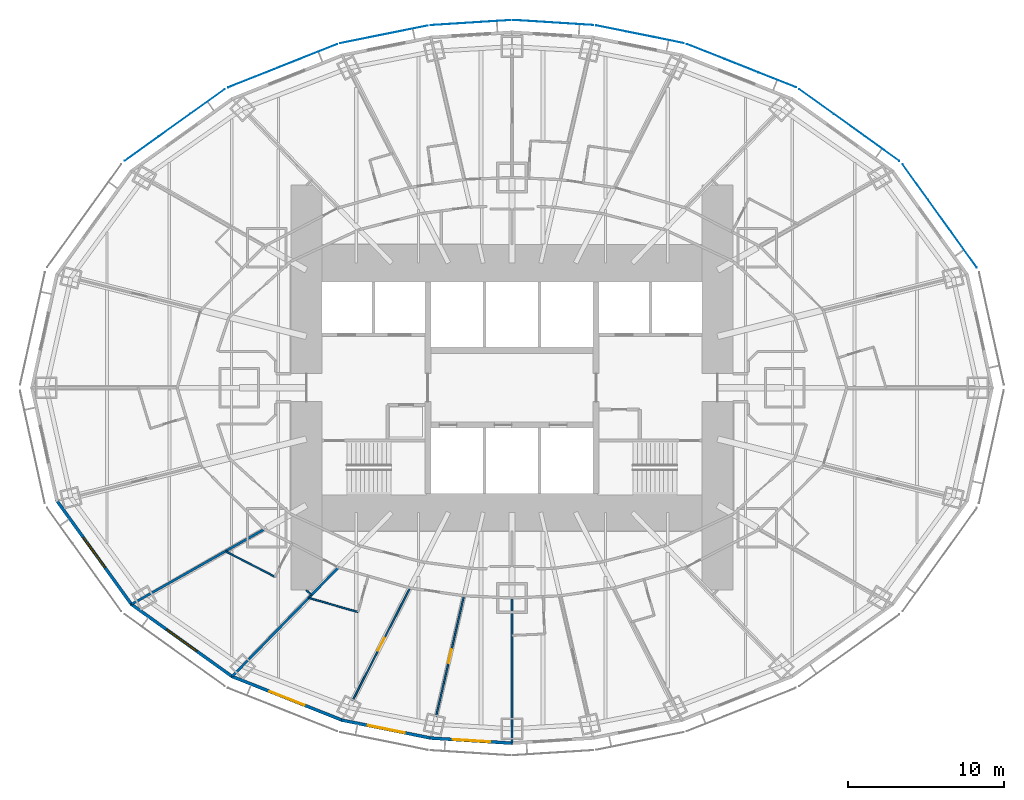
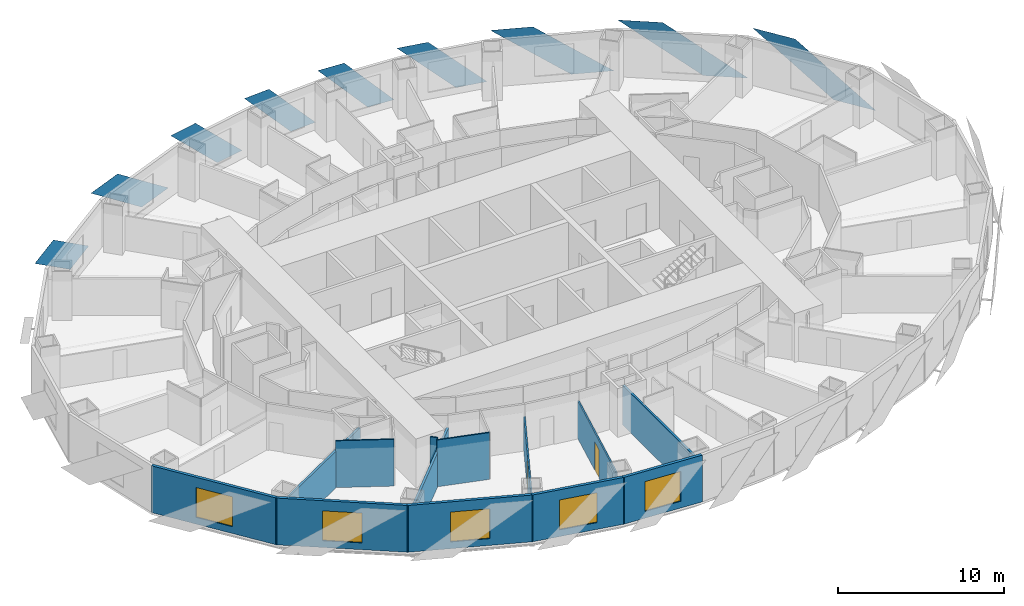
# One storey, part 4 of 15: 13 walls, 9 plates, 5 windows, 2 doors, 7 openings.
"""IFC4 building model written with IfcOpenShell, lengths in metres."""

from ifc_helpers import new_model, si_unit, direction, frame, frame_2d, origin, place, context, subcontext, project, spatial, polyline, rectangle, outline, extrude, material, layer, layer_set, type_object, element, fill, save


model = new_model("IFC4")

# Units and contexts
model_context = context("Model", 3, precision=1e-05, world=origin(), true_north=direction((0.0, 1.0)))
body_context = subcontext(model_context, "Body", "Model", "MODEL_VIEW")
ifc_project = project(units=[si_unit("LENGTHUNIT", "METRE"), si_unit("AREAUNIT", "SQUARE_METRE"), si_unit("VOLUMEUNIT", "CUBIC_METRE"), si_unit("PLANEANGLEUNIT", "RADIAN"), si_unit("MASSUNIT", "GRAM", prefix="KILO")], contexts=[model_context])

# Site, building, storey
site_placement = place(None, origin())
site = spatial("IfcSite", under=ifc_project, at=site_placement, CompositionType="ELEMENT")
building_placement = place(site_placement, origin())
building = spatial("IfcBuilding", under=site, at=building_placement, Name="Lantaw Convention Tower", CompositionType="ELEMENT")
storey_placement = place(building_placement, frame((0.0, 0.0, 51.39990234375)))
storey = spatial("IfcBuildingStorey", under=building, at=storey_placement, Name="L10", CompositionType="ELEMENT", Elevation=51.39990234375)

# Plates
ifc_material_1 = material(Name="Perforated aluminium sheet, pale silver finish", Category="aluminium")
ifc_layer_1 = layer(ifc_material_1, 0.006103515625)
ifc_layer_set_1 = layer_set([ifc_layer_1], Name="Perforated aluminium solar SCREEN panel")
plate_type = type_object("IfcPlateType", Name="Perforated aluminium solar SCREEN panel", PredefinedType="SHEET", material=ifc_layer_set_1)
plate_1_placement = place(storey_placement, frame((29.847900390625, 7.720947265625, -0.1748046875), z_axis=(0.811791382613, 0.583947558463, 9.019268e-06), x_axis=(-0.583947558486, 0.811791382646, 0.0)))
element("IfcPlate", 1, at=plate_1_placement, inside=storey, type_object=plate_type, Name="Solar SCREEN panel", PredefinedType="SHEET", context=body_context, shape_type="SweptSolid", body=[
    extrude(outline(polyline([(0.0, 0.0), (2.809541672291133, 0.0), (8.163093158837512, 3.739990234527119), (5.353551486546379, 3.739990234527119), (0.0, 0.0)])), origin(), (0.0, 0.0, -1.0), 0.006103515625),
])
plate_2_placement = place(storey_placement, frame((24.872314453125, 14.555908203125, -0.1748046875), z_axis=(0.582561421998, 0.812786681331, 1.5819417e-05), x_axis=(-0.812786681433, 0.582561422071, 0.0)))
element("IfcPlate", 2, at=plate_2_placement, inside=storey, type_object=plate_type, Name="Solar SCREEN panel", PredefinedType="SHEET", context=body_context, shape_type="SweptSolid", body=[
    extrude(outline(polyline([(0.0, 0.0), (2.721095180812288, 3.3881317890172014e-21), (7.903118572410756, 3.739990234842974), (5.182023391598468, 3.739990234842974), (0.0, 0.0)])), origin(), (0.0, 0.0, -1.0), 0.006103515625),
])
plate_3_placement = place(storey_placement, frame((18.232177734375, 19.278076171875, -0.1748046875), z_axis=(-0.369183532846, -0.929356508016, 9.163296e-06), x_axis=(-0.929356508055, 0.369183532862, 0.0)))
element("IfcPlate", 3, at=plate_3_placement, inside=storey, type_object=plate_type, Name="Solar SCREEN panel", PredefinedType="SHEET", context=body_context, shape_type="SweptSolid", body=[
    extrude(outline(polyline([(0.0, 0.0), (2.594936467166582, -1.6940658945086007e-21), (7.5321069917580825, -3.739990234532016), (4.937170524591499, -3.739990234532016), (0.0, 0.0)])), origin(), (0.0, 0.0, -1.0), 0.006103515625),
])
plate_4_placement = place(storey_placement, frame((11.03271484375, 22.117919921875, -0.1748046875), z_axis=(-0.197781876197, -0.980246055561, 2.418535e-06), x_axis=(-0.980246055563, 0.197781876198, 1.46e-10)))
element("IfcPlate", 4, at=plate_4_placement, inside=storey, type_object=plate_type, Name="Solar SCREEN panel", PredefinedType="SHEET", context=body_context, shape_type="SweptSolid", body=[
    extrude(outline(polyline([(0.0, 0.0), (1.9867801772236329, -3.1763735522036263e-22), (5.743587245978565, -3.7399902335493134), (3.7568553553458006, -3.739990234128105), (0.0, 0.0)])), origin(), (0.0, 0.0, -1.0), 0.006103515625),
])
plate_5_placement = place(storey_placement, frame((5.221923828125, 23.27783203125, -0.1748046875), z_axis=(-0.062923905251, -0.998018327468, 1.3605496e-05), x_axis=(-0.998018327561, 0.062923905257, 9.3e-10)))
element("IfcPlate", 5, at=plate_5_placement, inside=storey, type_object=plate_type, Name="Solar SCREEN panel", PredefinedType="SHEET", context=body_context, shape_type="SweptSolid", body=[
    extrude(outline(polyline([(0.0, 0.0), (1.7828375409377817, -2.117582368135751e-22), (5.143985963027618, -3.739990229938699), (3.3611637843713935, -3.7399902332537565), (0.0, 0.0)])), origin(), (0.0, 0.0, -1.0), 0.006103515625),
])
plate_6_placement = place(storey_placement, frame((-0.088134765625, 23.6015625, -0.1748046875), z_axis=(-0.062923905251, 0.998018327468, 1.3605496e-05), x_axis=(-0.998018327561, -0.062923905257, -9.3e-10)))
element("IfcPlate", 6, at=plate_6_placement, inside=storey, type_object=plate_type, Name="Solar SCREEN panel", PredefinedType="SHEET", context=body_context, shape_type="SweptSolid", body=[
    extrude(outline(polyline([(0.0, 0.0), (1.782822178656225, -2.117582368135751e-22), (5.143985956073316, 3.7399902395036517), (3.3611484151355353, 3.7399902361885653), (0.0, 0.0)])), origin(), (0.0, 0.0, -1.0), 0.006103515625),
])
plate_7_placement = place(storey_placement, frame((-5.402587890625, 23.25390625, -0.1748046875), z_axis=(-0.197781876197, 0.980246055561, 2.418535e-06), x_axis=(-0.980246055563, -0.197781876198, -1.46e-10)))
element("IfcPlate", 7, at=plate_7_placement, inside=storey, type_object=plate_type, Name="Solar SCREEN panel", PredefinedType="SHEET", context=body_context, shape_type="SweptSolid", body=[
    extrude(outline(polyline([(0.0, 0.0), (1.9867318906327642, 1.0587911840678754e-22), (5.743587244888999, 3.7399902352225842), (3.7568070676653664, 3.7399902346437783), (0.0, 0.0)])), origin(), (0.0, 0.0, -1.0), 0.006103515625),
])
plate_8_placement = place(storey_placement, frame((-11.232177734375, 22.058837890625, -0.1748046875), z_axis=(-0.369183532846, 0.929356508016, 9.163296e-06), x_axis=(-0.929356508055, -0.369183532862, 0.0)))
element("IfcPlate", 8, at=plate_8_placement, inside=storey, type_object=plate_type, Name="Solar SCREEN panel", PredefinedType="SHEET", context=body_context, shape_type="SweptSolid", body=[
    extrude(outline(polyline([(0.0, 0.0), (2.594936467166582, 1.6940658945086007e-21), (7.5321069917580825, 3.739990234532016), (4.937170524591499, 3.739990234532016), (0.0, 0.0)])), origin(), (0.0, 0.0, -1.0), 0.006103515625),
])
plate_9_placement = place(storey_placement, frame((-18.44873046875, 19.159912109375, -0.1748046875), z_axis=(0.582561421998, -0.812786681331, 1.5819417e-05), x_axis=(-0.812786681433, -0.582561422071, 0.0)))
element("IfcPlate", 9, at=plate_9_placement, inside=storey, type_object=plate_type, Name="Solar SCREEN panel", PredefinedType="SHEET", context=body_context, shape_type="SweptSolid", body=[
    extrude(outline(polyline([(0.0, 0.0), (2.721095180812288, -3.3881317890172014e-21), (7.903118572410756, -3.739990234842974), (5.182023391598468, -3.739990234842974), (0.0, 0.0)])), origin(), (0.0, 0.0, -1.0), 0.006103515625),
])

# Walls
ifc_material_2 = material(Name="Moisture resistant gypsum board on steel studs", Category="steel")
ifc_layer_2 = layer(ifc_material_2, 0.10009765625)
ifc_layer_set_2 = layer_set([ifc_layer_2], Name="Bathroom wall 100")
wall_type_1 = type_object("IfcWallType", Name="Bathroom wall 100", PredefinedType="PARTITIONING", material=ifc_layer_set_2)
wall_1_placement = place(storey_placement, frame((-15.2265625, -12.13671875, 0.0), z_axis=(0.0, 0.0, 1.0), x_axis=(-0.888342312029, 0.459181812204, 0.0)))
element("IfcWall", 10, at=wall_1_placement, inside=storey, type_object=wall_type_1, Name="Bathroom wall 100", PredefinedType="PARTITIONING", context=body_context, shape_type="SweptSolid", body=[
    extrude(rectangle(XDim=3.5537109375, YDim=0.10009765625, at=frame_2d((1.77685546875, 0.0))), origin(), (0.0, 0.0, 1.0), 3.4501953125),
])
wall_2_placement = place(storey_placement, frame((-9.884521484375, -14.401123046875, 0.0), z_axis=(0.0, 0.0, 1.0), x_axis=(-0.961456470712, 0.274957187441, 0.0)))
element("IfcWall", 11, at=wall_2_placement, inside=storey, type_object=wall_type_1, Name="Bathroom wall 100", PredefinedType="PARTITIONING", context=body_context, shape_type="SweptSolid", body=[
    extrude(rectangle(XDim=3.2783203125, YDim=0.10009765625, at=frame_2d((1.63916015625, 0.0))), origin(), (0.0, 0.0, 1.0), 3.4501953125),
])

# Wall, opening, window
ifc_material_3 = material(Name="Insulated aluminium panel on steel frame", Category="steel")
ifc_layer_3 = layer(ifc_material_3, 0.199951171875)
ifc_layer_set_3 = layer_set([ifc_layer_3], Name="External wall 200")
wall_type_2 = type_object("IfcWallType", Name="External wall 200", PredefinedType="SOLIDWALL", material=ifc_layer_set_3)
wall_3_placement = place(storey_placement, frame((-29.260498046875, -7.199951171875, 0.0), z_axis=(0.0, 0.0, 1.0), x_axis=(0.583937613703, -0.811798536155, 0.0)))
wall_3 = element("IfcWall", 12, at=wall_3_placement, inside=storey, type_object=wall_type_2, Name="Facade panel wall", PredefinedType="SOLIDWALL", context=body_context, shape_type="SweptSolid", body=[
    extrude(rectangle(XDim=8.322998046875, YDim=0.199951171875, at=frame_2d((4.16162109375, 0.0))), origin(), (0.0, 0.0, 1.0), 3.4501953125),
])
opening_1_placement = place(wall_3_placement, frame((2.96142578125, 0.0, 0.5)))
opening_1 = element("IfcOpeningElement", 13, at=opening_1_placement, cuts=wall_3, Name="Opening W1", PredefinedType="OPENING", context=body_context, shape_type="SweptSolid", body=[
    extrude(rectangle(XDim=2.39990234375, YDim=2.199951171875, at=frame_2d((1.199951171875, 1.10009765625))), frame((0.0, 0.10986328125, 0.0), z_axis=(0.0, -1.0, 0.0), x_axis=(1.0, 0.0, 0.0)), (0.0, 0.0, 1.0), 0.219970703125),
])
ifc_material_4 = material(Name="Aluminium frame, clear insulating glass", Category="aluminium")
window_type = type_object("IfcWindowType", Name="Guest room window 2400x2200", PartitioningType="SINGLE_PANEL", PredefinedType="WINDOW", material=ifc_material_4)
window_1_placement = place(opening_1_placement, origin())
window_1 = element("IfcWindow", 14, at=window_1_placement, inside=storey, type_object=window_type, Name="Guest room window", OverallHeight=2.199951171875, OverallWidth=2.39990234375, PartitioningType="SINGLE_PANEL", PredefinedType="WINDOW", context=body_context, shape_type="SweptSolid", body=[
    extrude(rectangle(XDim=2.39990234375, YDim=2.199951171875, at=frame_2d((1.199951171875, 1.10009765625))), frame((0.0, 0.030029296875, 0.0), z_axis=(0.0, -1.0, 0.0), x_axis=(1.0, 0.0, 0.0)), (0.0, 0.0, 1.0), 0.06005859375),
])
fill(opening_1, window_1)

wall_4_placement = place(storey_placement, frame((-24.482421875, -13.87451171875, 0.0), z_axis=(0.0, 0.0, 1.0), x_axis=(0.812791321576, -0.582554948112, 0.0)))
wall_4 = element("IfcWall", 15, at=wall_4_placement, inside=storey, type_object=wall_type_2, Name="Facade panel wall", PredefinedType="SOLIDWALL", context=body_context, shape_type="SweptSolid", body=[
    extrude(rectangle(XDim=8.063232421875, YDim=0.199951171875, at=frame_2d((4.03173828125, 0.0))), origin(), (0.0, 0.0, 1.0), 3.4501953125),
])
opening_2_placement = place(wall_4_placement, frame((2.83154296875, 0.0, 0.5)))
opening_2 = element("IfcOpeningElement", 16, at=opening_2_placement, cuts=wall_4, Name="Opening W1", PredefinedType="OPENING", context=body_context, shape_type="SweptSolid", body=[
    extrude(rectangle(XDim=2.39990234375, YDim=2.199951171875, at=frame_2d((1.199951171875, 1.10009765625))), frame((0.0, 0.10986328125, 0.0), z_axis=(0.0, -1.0, 0.0), x_axis=(1.0, 0.0, 0.0)), (0.0, 0.0, 1.0), 0.219970703125),
])
window_2_placement = place(opening_2_placement, origin())
window_2 = element("IfcWindow", 17, at=window_2_placement, inside=storey, type_object=window_type, Name="Guest room window", OverallHeight=2.199951171875, OverallWidth=2.39990234375, PartitioningType="SINGLE_PANEL", PredefinedType="WINDOW", context=body_context, shape_type="SweptSolid", body=[
    extrude(rectangle(XDim=2.39990234375, YDim=2.199951171875, at=frame_2d((1.199951171875, 1.10009765625))), frame((0.0, 0.030029296875, 0.0), z_axis=(0.0, -1.0, 0.0), x_axis=(1.0, 0.0, 0.0)), (0.0, 0.0, 1.0), 0.06005859375),
])
fill(opening_2, window_2)

wall_5_placement = place(storey_placement, frame((-18.018310546875, -18.522705078125, 0.0), z_axis=(0.0, 0.0, 1.0), x_axis=(0.929358351251, -0.369178892895, 0.0)))
wall_5 = element("IfcWall", 18, at=wall_5_placement, inside=storey, type_object=wall_type_2, Name="Facade panel wall", PredefinedType="SOLIDWALL", context=body_context, shape_type="SweptSolid", body=[
    extrude(rectangle(XDim=7.6923828125, YDim=0.199951171875, at=frame_2d((3.84619140625, 0.0))), origin(), (0.0, 0.0, 1.0), 3.4501953125),
])
opening_3_placement = place(wall_5_placement, frame((2.64599609375, 0.0, 0.5)))
opening_3 = element("IfcOpeningElement", 19, at=opening_3_placement, cuts=wall_5, Name="Opening W1", PredefinedType="OPENING", context=body_context, shape_type="SweptSolid", body=[
    extrude(rectangle(XDim=2.39990234375, YDim=2.199951171875, at=frame_2d((1.199951171875, 1.10009765625))), frame((0.0, 0.10986328125, 0.0), z_axis=(0.0, -1.0, 0.0), x_axis=(1.0, 0.0, 0.0)), (0.0, 0.0, 1.0), 0.219970703125),
])
window_3_placement = place(opening_3_placement, origin())
window_3 = element("IfcWindow", 20, at=window_3_placement, inside=storey, type_object=window_type, Name="Guest room window", OverallHeight=2.199951171875, OverallWidth=2.39990234375, PartitioningType="SINGLE_PANEL", PredefinedType="WINDOW", context=body_context, shape_type="SweptSolid", body=[
    extrude(rectangle(XDim=2.39990234375, YDim=2.199951171875, at=frame_2d((1.199951171875, 1.10009765625))), frame((0.0, 0.030029296875, 0.0), z_axis=(0.0, -1.0, 0.0), x_axis=(1.0, 0.0, 0.0)), (0.0, 0.0, 1.0), 0.06005859375),
])
fill(opening_3, window_3)

wall_6_placement = place(storey_placement, frame((-10.956787109375, -21.336669921875, 0.0), z_axis=(0.0, 0.0, 1.0), x_axis=(0.980251657452, -0.197754110105, 0.0)))
wall_6 = element("IfcWall", 21, at=wall_6_placement, inside=storey, type_object=wall_type_2, Name="Facade panel wall", PredefinedType="SOLIDWALL", context=body_context, shape_type="SweptSolid", body=[
    extrude(rectangle(XDim=5.90380859375, YDim=0.199951171875, at=frame_2d((2.951904296875, 0.0))), origin(), (0.0, 0.0, 1.0), 3.4501953125),
])
opening_4_placement = place(wall_6_placement, frame((1.751708984375, 0.0, 0.5)))
opening_4 = element("IfcOpeningElement", 22, at=opening_4_placement, cuts=wall_6, Name="Opening W1", PredefinedType="OPENING", context=body_context, shape_type="SweptSolid", body=[
    extrude(rectangle(XDim=2.39990234375, YDim=2.199951171875, at=frame_2d((1.199951171875, 1.10009765625))), frame((0.0, 0.10986328125, 0.0), z_axis=(0.0, -1.0, 0.0), x_axis=(1.0, 0.0, 0.0)), (0.0, 0.0, 1.0), 0.219970703125),
])
window_4_placement = place(opening_4_placement, origin())
window_4 = element("IfcWindow", 23, at=window_4_placement, inside=storey, type_object=window_type, Name="Guest room window", OverallHeight=2.199951171875, OverallWidth=2.39990234375, PartitioningType="SINGLE_PANEL", PredefinedType="WINDOW", context=body_context, shape_type="SweptSolid", body=[
    extrude(rectangle(XDim=2.39990234375, YDim=2.199951171875, at=frame_2d((1.199951171875, 1.10009765625))), frame((0.0, 0.030029296875, 0.0), z_axis=(0.0, -1.0, 0.0), x_axis=(1.0, 0.0, 0.0)), (0.0, 0.0, 1.0), 0.06005859375),
])
fill(opening_4, window_4)

wall_7_placement = place(storey_placement, frame((-5.252685546875, -22.493408203125, 0.0), z_axis=(0.0, 0.0, 1.0), x_axis=(0.998018582375, -0.062919863585, 0.0)))
wall_7 = element("IfcWall", 24, at=wall_7_placement, inside=storey, type_object=wall_type_2, Name="Facade panel wall", PredefinedType="SOLIDWALL", context=body_context, shape_type="SweptSolid", body=[
    extrude(rectangle(XDim=5.30419921875, YDim=0.199951171875, at=frame_2d((2.652099609375, 0.0))), origin(), (0.0, 0.0, 1.0), 3.4501953125),
])
opening_5_placement = place(wall_7_placement, frame((1.4521484375, 0.0, 0.5)))
opening_5 = element("IfcOpeningElement", 25, at=opening_5_placement, cuts=wall_7, Name="Opening W1", PredefinedType="OPENING", context=body_context, shape_type="SweptSolid", body=[
    extrude(rectangle(XDim=2.39990234375, YDim=2.199951171875, at=frame_2d((1.199951171875, 1.10009765625))), frame((0.0, 0.10986328125, 0.0), z_axis=(0.0, -1.0, 0.0), x_axis=(1.0, 0.0, 0.0)), (0.0, 0.0, 1.0), 0.219970703125),
])
window_5_placement = place(opening_5_placement, origin())
window_5 = element("IfcWindow", 26, at=window_5_placement, inside=storey, type_object=window_type, Name="Guest room window", OverallHeight=2.199951171875, OverallWidth=2.39990234375, PartitioningType="SINGLE_PANEL", PredefinedType="WINDOW", context=body_context, shape_type="SweptSolid", body=[
    extrude(rectangle(XDim=2.39990234375, YDim=2.199951171875, at=frame_2d((1.199951171875, 1.10009765625))), frame((0.0, 0.030029296875, 0.0), z_axis=(0.0, -1.0, 0.0), x_axis=(1.0, 0.0, 0.0)), (0.0, 0.0, 1.0), 0.06005859375),
])
fill(opening_5, window_5)

# Walls
ifc_material_5 = material(Name="Gypsum board on steel studs, acoustic", Category="steel")
ifc_layer_4 = layer(ifc_material_5, 0.14990234375)
ifc_layer_set_4 = layer_set([ifc_layer_4], Name="Guest room party wall 150")
wall_type_3 = type_object("IfcWallType", Name="Guest room party wall 150", PredefinedType="PARTITIONING", material=ifc_layer_set_4)
wall_8_placement = place(storey_placement, frame((-24.434814453125, -13.90869140625, 0.0), z_axis=(0.0, 0.0, 1.0), x_axis=(0.870612006791, 0.491970256856, 0.0)))
element("IfcWall", 27, at=wall_8_placement, inside=storey, type_object=wall_type_3, Name="Guest room party wall 150", PredefinedType="PARTITIONING", context=body_context, shape_type="SweptSolid", body=[
    extrude(rectangle(XDim=9.802001953125, YDim=0.14990234375, at=frame_2d((4.90087890625, 0.0))), origin(), (0.0, 0.0, 1.0), 2.693115234375),
])
wall_9_placement = place(storey_placement, frame((-17.970458984375, -18.541748046875, 0.0), z_axis=(0.0, 0.0, 1.0), x_axis=(0.698095013805, 0.71600513385, 0.0)))
element("IfcWall", 28, at=wall_9_placement, inside=storey, type_object=wall_type_3, Name="Guest room party wall 150", PredefinedType="PARTITIONING", context=body_context, shape_type="SweptSolid", body=[
    extrude(rectangle(XDim=9.773681640625, YDim=0.14990234375, at=frame_2d((4.88671875, 0.0))), origin(), (0.0, 0.0, 1.0), 2.528076171875),
])
wall_10_placement = place(storey_placement, frame((0.0, -22.82470703125, 0.0), z_axis=(0.0, 0.0, 1.0), x_axis=(0.0, 1.0, 0.0)))
element("IfcWall", 29, at=wall_10_placement, inside=storey, type_object=wall_type_3, Name="Guest room party wall 150", PredefinedType="PARTITIONING", context=body_context, shape_type="SweptSolid", body=[
    extrude(rectangle(XDim=9.32470703125, YDim=0.14990234375, at=frame_2d((4.662353515625, 0.0))), origin(), (0.0, 0.0, 1.0), 2.92431640625),
])
ifc_layer_5 = layer(ifc_material_5, 0.10009765625)
ifc_layer_set_5 = layer_set([ifc_layer_5], Name="Office partition 100")
wall_type_4 = type_object("IfcWallType", Name="Office partition 100", PredefinedType="PARTITIONING", material=ifc_layer_set_5)
wall_11_placement = place(storey_placement, frame((-13.199951171875, -13.0, 0.0), z_axis=(0.0, 0.0, 1.0), x_axis=(0.715946243145, -0.698155410296, 0.0)))
element("IfcWall", 30, at=wall_11_placement, inside=storey, type_object=wall_type_4, Name="Office partition 100", PredefinedType="PARTITIONING", context=body_context, shape_type="SweptSolid", body=[
    extrude(rectangle(XDim=0.452880859375, YDim=0.10009765625, at=frame_2d((0.2265625, 0.0))), origin(), (0.0, 0.0, 1.0), 3.4501953125),
])

# Wall, opening, door
ifc_material_6 = material(Name="Gypsum board on steel studs", Category="steel")
ifc_layer_6 = layer(ifc_material_6, 0.10009765625)
ifc_layer_set_6 = layer_set([ifc_layer_6], Name="Suite partition 100")
wall_type_5 = type_object("IfcWallType", Name="Suite partition 100", PredefinedType="PARTITIONING", material=ifc_layer_set_6)
wall_12_placement = place(storey_placement, frame((-10.235595703125, -20.08837890625, 0.0), z_axis=(0.0, 0.0, 1.0), x_axis=(0.45398797485, 0.891007810679, 0.0)))
wall_12 = element("IfcWall", 31, at=wall_12_placement, inside=storey, type_object=wall_type_5, Name="Suite partition 100", PredefinedType="PARTITIONING", context=body_context, shape_type="SweptSolid", body=[
    extrude(rectangle(XDim=8.114990234375, YDim=0.10009765625, at=frame_2d((4.0576171875, 0.0))), origin(), (0.0, 0.0, 1.0), 2.528076171875),
])
opening_6_placement = place(wall_12_placement, frame((3.607421875, 0.0, 0.0)))
opening_6 = element("IfcOpeningElement", 32, at=opening_6_placement, cuts=wall_12, Name="Opening L10.50", PredefinedType="OPENING", context=body_context, shape_type="SweptSolid", body=[
    extrude(rectangle(XDim=0.89990234375, YDim=2.10009765625, at=frame_2d((0.449951171875, 1.050048828125))), frame((0.0, 0.06005859375, 0.0), z_axis=(0.0, -1.0, 0.0), x_axis=(1.0, 0.0, 0.0)), (0.0, 0.0, 1.0), 0.1201171875),
])
ifc_material_7 = material(Name="Timber", Category="wood")
door_type = type_object("IfcDoorType", Name="Suite door 900", OperationType="SINGLE_SWING_LEFT", PredefinedType="DOOR", material=ifc_material_7)
door_1_placement = place(opening_6_placement, origin())
door_1 = element("IfcDoor", 33, at=door_1_placement, inside=storey, type_object=door_type, Name="Bedroom door", OperationType="SINGLE_SWING_LEFT", OverallHeight=2.10009765625, OverallWidth=0.89990234375, PredefinedType="DOOR", context=body_context, shape_type="SweptSolid", body=[
    extrude(rectangle(XDim=0.89990234375, YDim=2.10009765625, at=frame_2d((0.449951171875, 1.050048828125))), frame((0.0, 0.02490234375, 0.0), z_axis=(0.0, -1.0, 0.0), x_axis=(1.0, 0.0, 0.0)), (0.0, 0.0, 1.0), 0.050048828125),
])
fill(opening_6, door_1)

wall_13_placement = place(storey_placement, frame((-4.873779296875, -21.11083984375, 0.0), z_axis=(0.0, 0.0, 1.0), x_axis=(0.22494692831, 0.974371017346, 0.0)))
wall_13 = element("IfcWall", 34, at=wall_13_placement, inside=storey, type_object=wall_type_5, Name="Suite partition 100", PredefinedType="PARTITIONING", context=body_context, shape_type="SweptSolid", body=[
    extrude(rectangle(XDim=7.954345703125, YDim=0.10009765625, at=frame_2d((3.97705078125, 0.0))), origin(), (0.0, 0.0, 1.0), 2.766845703125),
])
opening_7_placement = place(wall_13_placement, frame((3.527099609375, 0.0, 0.0)))
opening_7 = element("IfcOpeningElement", 35, at=opening_7_placement, cuts=wall_13, Name="Opening L10.51", PredefinedType="OPENING", context=body_context, shape_type="SweptSolid", body=[
    extrude(rectangle(XDim=0.89990234375, YDim=2.10009765625, at=frame_2d((0.449951171875, 1.050048828125))), frame((0.0, 0.06005859375, 0.0), z_axis=(0.0, -1.0, 0.0), x_axis=(1.0, 0.0, 0.0)), (0.0, 0.0, 1.0), 0.1201171875),
])
door_2_placement = place(opening_7_placement, origin())
door_2 = element("IfcDoor", 36, at=door_2_placement, inside=storey, type_object=door_type, Name="Kitchenette door", OperationType="SINGLE_SWING_LEFT", OverallHeight=2.10009765625, OverallWidth=0.89990234375, PredefinedType="DOOR", context=body_context, shape_type="SweptSolid", body=[
    extrude(rectangle(XDim=0.89990234375, YDim=2.10009765625, at=frame_2d((0.449951171875, 1.050048828125))), frame((0.0, 0.02490234375, 0.0), z_axis=(0.0, -1.0, 0.0), x_axis=(1.0, 0.0, 0.0)), (0.0, 0.0, 1.0), 0.050048828125),
])
fill(opening_7, door_2)

save(model, "model.ifc")
